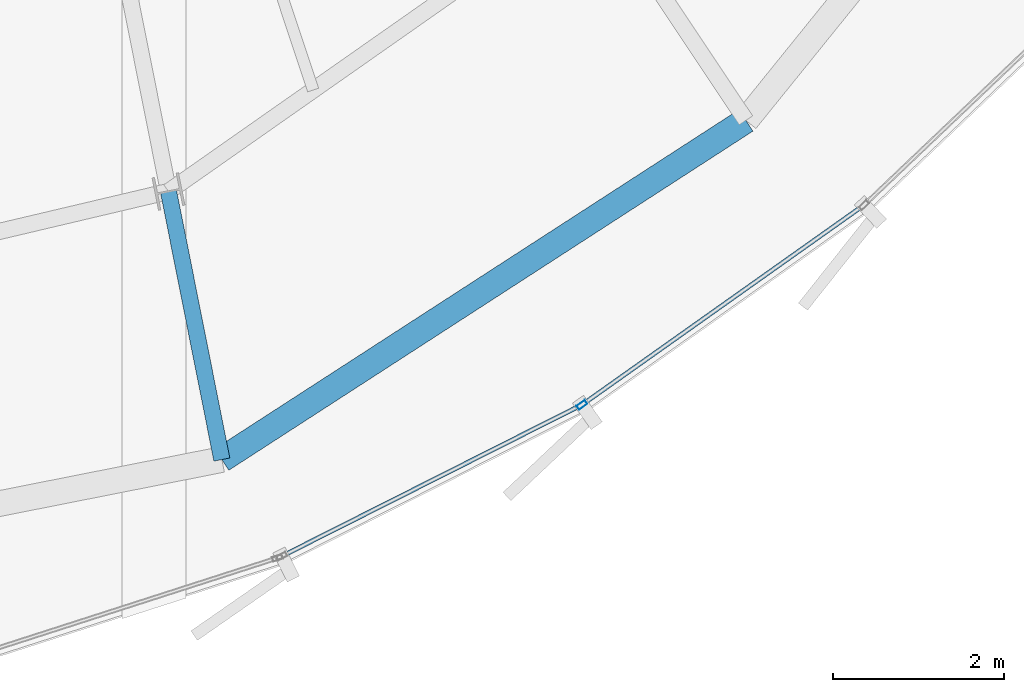
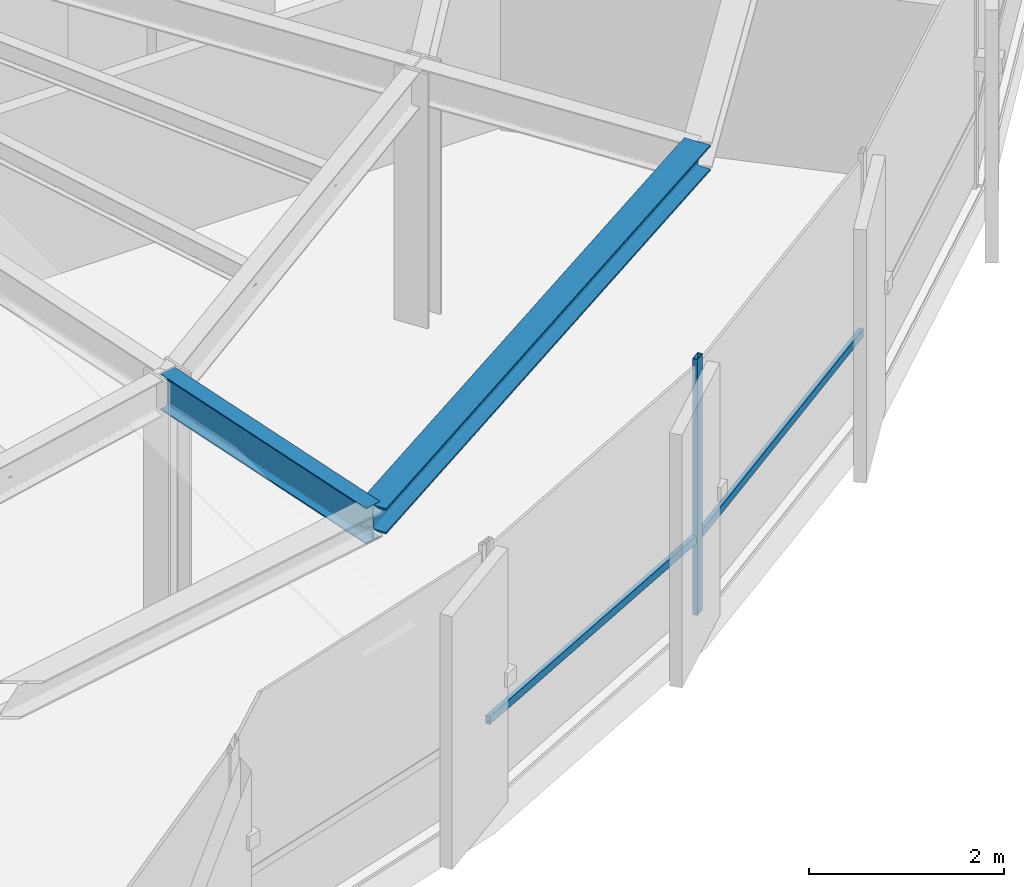
# One storey, part 7 of 36: 3 members, 2 beams, 1 element without a shape of its own.
"""IFC4 building model written with IfcOpenShell, lengths in metres."""

from ifc_helpers import new_model, si_unit, direction, frame, origin, origin_2d, place, context, subcontext, project, spatial, hollow_rectangle, i_section, extrude, source, transform, mapped, material, layer, layer_set, material_profile, profile_set, type_object, element, aggregate, save


model = new_model("IFC4")

# Units and contexts
model_context = context("Model", 3, precision=1e-05, world=origin(), true_north=direction((0.0, 1.0)))
body_context = subcontext(model_context, "Body", "Model", "MODEL_VIEW")
ifc_project = project(units=[si_unit("LENGTHUNIT", "METRE"), si_unit("AREAUNIT", "SQUARE_METRE"), si_unit("VOLUMEUNIT", "CUBIC_METRE"), si_unit("PLANEANGLEUNIT", "RADIAN"), si_unit("MASSUNIT", "GRAM", prefix="KILO"), si_unit("THERMODYNAMICTEMPERATUREUNIT", "KELVIN")], contexts=[model_context])

# Site, building, storey
site_placement = place(None, origin())
site = spatial("IfcSite", under=ifc_project, at=site_placement, CompositionType="ELEMENT")
building_placement = place(site_placement, origin())
building = spatial("IfcBuilding", under=site, at=building_placement, Name="Kethvar Cultural Tower", CompositionType="ELEMENT")
storey_placement = place(building_placement, frame((0.0, 0.0, 228.39990234375)))
storey = spatial("IfcBuildingStorey", under=building, at=storey_placement, Name="L59", CompositionType="ELEMENT", Elevation=228.39990234375)

# Beams
ifc_material_1 = material(Name="Steel S355J2", Category="steel")
ifc_material_profile_1 = material_profile(ifc_material_1, i_section(OverallWidth=0.18994140625, OverallDepth=0.449951171875, WebThickness=0.009521484375, FlangeThickness=0.0146484375, FilletRadius=0.02099609375, at=origin_2d()), Name="Steel S355J2 — IPE450")
ifc_profile_set_1 = profile_set([ifc_material_profile_1], Name="Steel S355J2 — IPE450")
beam_type_1 = type_object("IfcBeamType", Name="BM-IPE450", PredefinedType="BEAM", material=ifc_profile_set_1)
shared_shape_1 = source(origin(), body_context, "Body", "SweptSolid", [
    extrude(i_section(OverallWidth=0.18994140625, OverallDepth=0.449951171875, WebThickness=0.009521484375, FlangeThickness=0.0146484375, FilletRadius=0.02099609375, at=origin_2d()), origin(), (0.0, 0.0, 1.0), 3.199951171875),
])
beam_1_placement = place(storey_placement, frame((49.901611328125, 12.206787109375, 2.983154296875), z_axis=(0.195088965533, -0.980785550224, 0.0), x_axis=(0.980785550224, 0.195088965533, 0.0)))
element("IfcBeam", 1, at=beam_1_placement, inside=storey, type_object=beam_type_1, Name="L59 Perimeter Cantilever Beam RC-13", PredefinedType="BEAM", context=body_context, shape_type="MappedRepresentation", body=[
    mapped(shared_shape_1, transform((0.0, 0.0, 0.0), scale=1.0)),
])
ifc_material_profile_2 = material_profile(ifc_material_1, i_section(OverallWidth=0.300048828125, OverallDepth=0.320068359375, WebThickness=0.011474609375, FlangeThickness=0.0205078125, FilletRadius=0.027099609375, at=origin_2d()), Name="Steel S355J2 — HEB320")
ifc_profile_set_2 = profile_set([ifc_material_profile_2], Name="Steel S355J2 — HEB320")
beam_type_2 = type_object("IfcBeamType", Name="BM-SP320", PredefinedType="SPANDREL", material=ifc_profile_set_2)
shared_shape_2 = source(origin(), body_context, "Body", "SweptSolid", [
    extrude(i_section(OverallWidth=0.300048828125, OverallDepth=0.320068359375, WebThickness=0.011474609375, FlangeThickness=0.0205078125, FilletRadius=0.027099609375, at=origin_2d()), origin(), (0.0, 0.0, 1.0), 7.309326171875),
])
beam_2_placement = place(storey_placement, frame((50.52587890625, 9.068359375, 3.048095703125), z_axis=(0.839562091992, 0.543263742292, 0.0), x_axis=(-0.543263742292, 0.839562091992, 0.0)))
element("IfcBeam", 2, at=beam_2_placement, inside=storey, type_object=beam_type_2, Name="L59 Perimeter Spandrel Beam SP-13", PredefinedType="SPANDREL", context=body_context, shape_type="MappedRepresentation", body=[
    mapped(shared_shape_2, transform((0.0, 0.0, 0.0), scale=1.0)),
])

# Curtain wall, members
ifc_material_2 = material(Name="Aluminium 6063-T6", Category="aluminium")
ifc_layer = layer(ifc_material_2, 0.179931640625, Name="Aluminium 6063-T6", Category="aluminium")
ifc_layer_set = layer_set([ifc_layer], Name="Aluminium 6063-T6 (180 mm)")
curtain_wall_type = type_object("IfcCurtainWallType", Name="CW-SYS-05-Z56", PredefinedType="NOTDEFINED", material=ifc_layer_set)
curtain_wall_placement = place(storey_placement, origin())
curtain_wall = element("IfcCurtainWall", 3, at=curtain_wall_placement, inside=storey, type_object=curtain_wall_type, Name="L59 Curtain Wall Run 05", PredefinedType="NOTDEFINED")
ifc_material_profile_3 = material_profile(ifc_material_2, hollow_rectangle(XDim=0.054931640625, YDim=0.1201171875, WallThickness=0.00390625, at=origin_2d()), Name="Aluminium 6063-T6 — RHS120x55x4")
ifc_profile_set_3 = profile_set([ifc_material_profile_3], Name="Aluminium 6063-T6 — RHS120x55x4")
member_type_1 = type_object("IfcMemberType", Name="CW-SYS-05-Z56-MUL", PredefinedType="MULLION", material=ifc_profile_set_3)
shared_shape_3 = source(origin(), body_context, "Body", "SweptSolid", [
    extrude(hollow_rectangle(XDim=0.054931640625, YDim=0.1201171875, WallThickness=0.00390625, at=origin_2d()), origin(), (0.0, 0.0, 1.0), 3.210205078125),
])
member_1_placement = place(storey_placement, frame((54.741943359375, 9.70849609375, 0.0), z_axis=(0.0, 0.0, 1.0), x_axis=(-0.578014300902, 0.81602663434, 0.0)))
member_1 = element("IfcMember", 4, at=member_1_placement, type_object=member_type_1, Name="CW-L59-R05 Mullion 2", PredefinedType="MULLION", context=body_context, shape_type="MappedRepresentation", body=[
    mapped(shared_shape_3, transform((0.0, 0.0, 0.0), scale=1.0)),
])
ifc_material_profile_4 = material_profile(ifc_material_2, hollow_rectangle(XDim=0.050048828125, YDim=0.10009765625, WallThickness=0.00390625, at=origin_2d()), Name="Aluminium 6063-T6 — RHS100x50x4")
ifc_profile_set_4 = profile_set([ifc_material_profile_4], Name="Aluminium 6063-T6 — RHS100x50x4")
member_type_2 = type_object("IfcMemberType", Name="CW-SYS-05-Z56-TRN", PredefinedType="USERDEFINED", material=ifc_profile_set_4)
shared_shape_4 = source(origin(), body_context, "Body", "SweptSolid", [
    extrude(hollow_rectangle(XDim=0.050048828125, YDim=0.10009765625, WallThickness=0.00390625, at=origin_2d()), origin(), (0.0, 0.0, 1.0), 3.98193359375),
])
member_2_placement = place(storey_placement, frame((54.7744140625, 9.7314453125, 0.9501953125), z_axis=(0.816001585918, 0.578049662036, 0.0), x_axis=(-0.578049662036, 0.816001585918, 0.0)))
member_2 = element("IfcMember", 5, at=member_2_placement, type_object=member_type_2, Name="CW-L59-R05 Transom 2", ObjectType="TRANSOM", PredefinedType="USERDEFINED", context=body_context, shape_type="MappedRepresentation", body=[
    mapped(shared_shape_4, transform((0.0, 0.0, 0.0), scale=1.0)),
])
shared_shape_5 = source(origin(), body_context, "Body", "SweptSolid", [
    extrude(hollow_rectangle(XDim=0.050048828125, YDim=0.10009765625, WallThickness=0.00390625, at=origin_2d()), origin(), (0.0, 0.0, 1.0), 3.9052734375),
])
member_3_placement = place(storey_placement, frame((51.233154296875, 7.93896484375, 0.9501953125), z_axis=(0.892745453304, 0.450561378289, 0.0), x_axis=(-0.450561378289, 0.892745453304, 0.0)))
member_3 = element("IfcMember", 6, at=member_3_placement, type_object=member_type_2, Name="CW-L59-R05 Transom 1", ObjectType="TRANSOM", PredefinedType="USERDEFINED", context=body_context, shape_type="MappedRepresentation", body=[
    mapped(shared_shape_5, transform((0.0, 0.0, 0.0), scale=1.0)),
])
aggregate(curtain_wall, [member_1, member_3, member_2])

save(model, "model.ifc")
